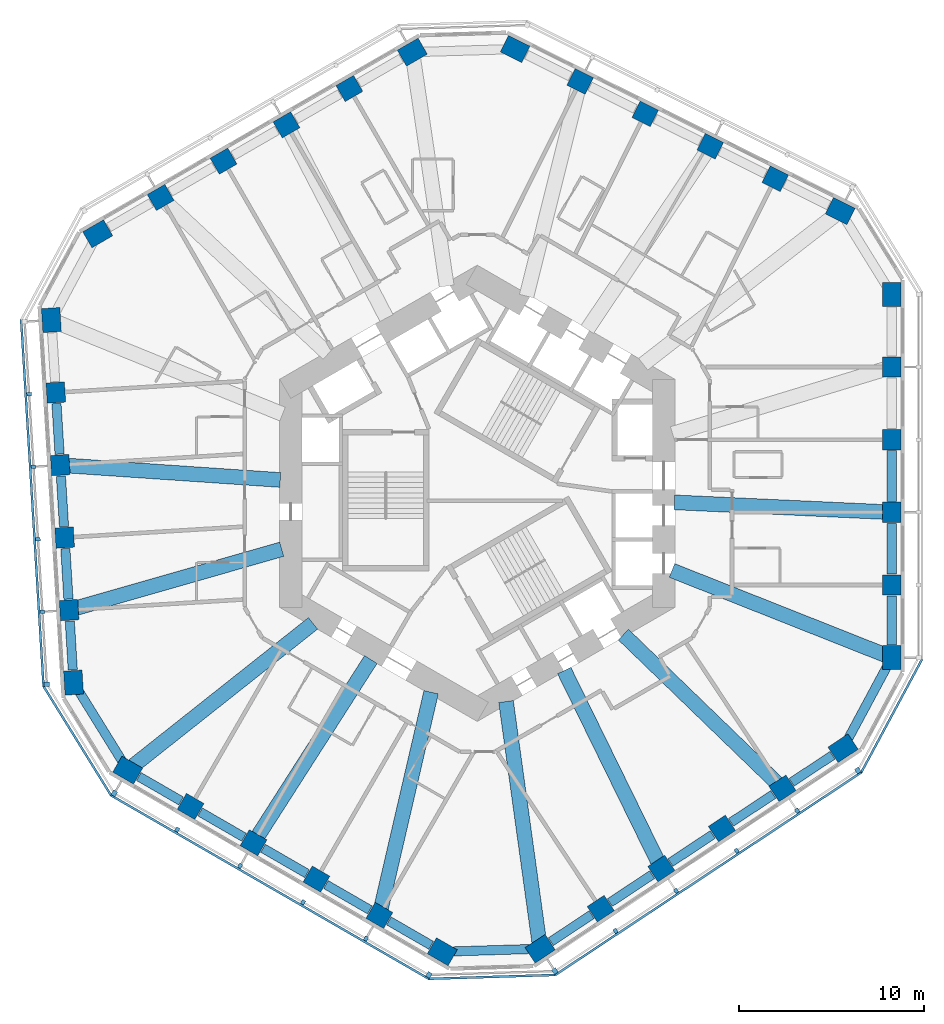
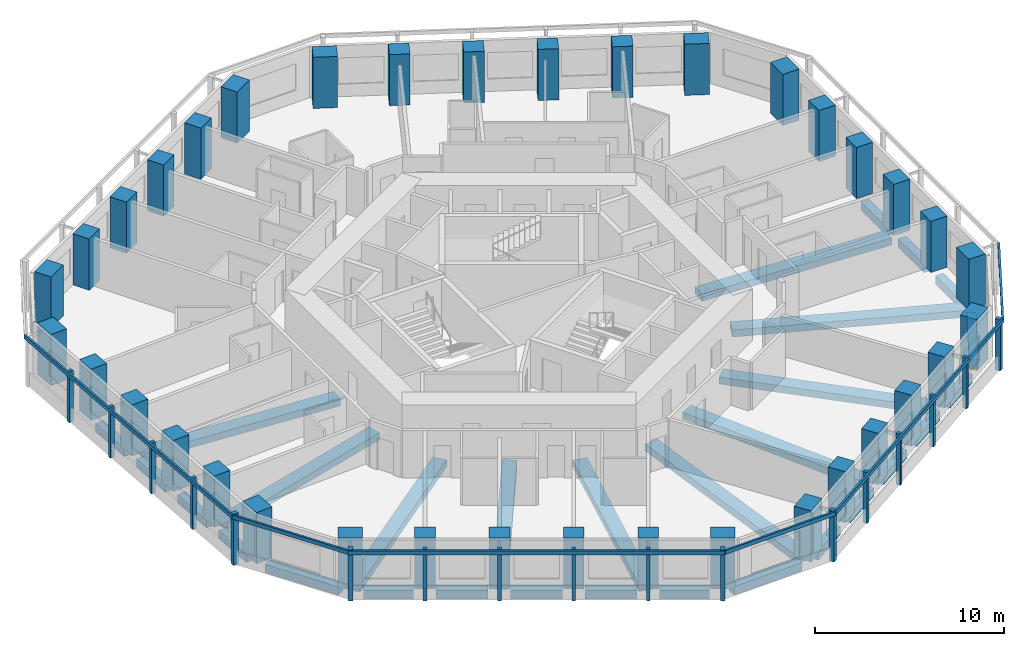
# One storey, part 1 of 12: 36 columns, 30 beams, 23 members, 6 elements without a shape of their own.
"""IFC4 building model written with IfcOpenShell, lengths in metres."""

from ifc_helpers import new_model, si_unit, direction, frame, origin, origin_2d, place, context, subcontext, project, spatial, rectangle, extrude, material, material_profile, profile_set, type_object, element, aggregate, save


model = new_model("IFC4")

# Units and contexts
model_context = context("Model", 3, precision=1e-05, world=origin(), true_north=direction((0.0, 1.0)))
body_context = subcontext(model_context, "Body", "Model", "MODEL_VIEW")
ifc_project = project(units=[si_unit("LENGTHUNIT", "METRE"), si_unit("AREAUNIT", "SQUARE_METRE"), si_unit("VOLUMEUNIT", "CUBIC_METRE"), si_unit("PLANEANGLEUNIT", "RADIAN"), si_unit("MASSUNIT", "GRAM", prefix="KILO")], contexts=[model_context])

# Site, building, storey
site_placement = place(None, origin())
site = spatial("IfcSite", under=ifc_project, at=site_placement, CompositionType="ELEMENT")
building_placement = place(site_placement, origin())
building = spatial("IfcBuilding", under=site, at=building_placement, Name="Vanh Sen Convention Tower", CompositionType="ELEMENT")
storey_placement = place(building_placement, frame((0.0, 0.0, 93.5)))
storey = spatial("IfcBuildingStorey", under=building, at=storey_placement, Name="L21", CompositionType="ELEMENT", Elevation=93.5)

# Columns
ifc_material_1 = material(Name="Concrete C80/95", Category="concrete")
ifc_material_profile_1 = material_profile(ifc_material_1, rectangle(XDim=1.10009765625, YDim=1.0, at=origin_2d()), Name="RC 1100X1000")
ifc_profile_set_1 = profile_set([ifc_material_profile_1], Name="Concrete C80/95")
column_type_1 = type_object("IfcColumnType", Name="Facade column 1100 x 1000 C80/95", PredefinedType="COLUMN", material=ifc_profile_set_1)
for number, where, z_axis, x_axis, name in (
    (1, (22.449951171875, -4.964599609375, 0.0), (0.0, 0.0, 1.0), (0.0, 1.0, 0.0), "Facade column 02 L21"),
    (2, (22.449951171875, -1.030029296875, 0.0), (0.0, 0.0, 1.0), (0.0, 1.0, 0.0), "Facade column 03 L21"),
    (3, (22.449951171875, 2.904541015625, 0.0), (0.0, 0.0, 1.0), (0.0, 1.0, 0.0), "Facade column 04 L21"),
    (4, (22.449951171875, 6.839111328125, 0.0), (0.0, 0.0, 1.0), (0.0, 1.0, 0.0), "Facade column 05 L21"),
    (5, (16.1376953125, 17.039794921875, 0.0), (0.0, 0.0, 1.0), (-0.894934361602, 0.44619781311, 0.0), "Facade column 08 L21"),
    (6, (12.616455078125, 18.79541015625, 0.0), (0.0, 0.0, 1.0), (-0.894934361602, 0.44619781311, 0.0), "Facade column 09 L21"),
    (7, (9.09521484375, 20.55078125, 0.0), (0.0, 0.0, 1.0), (-0.894934361602, 0.44619781311, 0.0), "Facade column 10 L21"),
    (8, (5.57421875, 22.306396484375, 0.0), (0.0, 0.0, 1.0), (-0.894934361602, 0.44619781311, 0.0), "Facade column 11 L21"),
    (9, (-6.925537109375, 21.924560546875, 0.0), (0.0, 0.0, 1.0), (-0.866025403784, -0.5, 0.0), "Facade column 14 L21"),
    (10, (-10.3330078125, 19.957275390625, 0.0), (0.0, 0.0, 1.0), (-0.866025403784, -0.5, 0.0), "Facade column 15 L21"),
    (11, (-13.740478515625, 17.989990234375, 0.0), (0.0, 0.0, 1.0), (-0.866025403784, -0.5, 0.0), "Facade column 16 L21"),
    (12, (-17.14794921875, 16.022705078125, 0.0), (0.0, 0.0, 1.0), (-0.866025403784, -0.5, 0.0), "Facade column 17 L21"),
    (13, (-22.82568359375, 5.455810546875, 0.0), (0.0, 0.0, 1.0), (0.061048539535, -0.998134798422, 0.0), "Facade column 20 L21"),
    (14, (-22.58544921875, 1.528564453125, 0.0), (0.0, 0.0, 1.0), (0.061048539535, -0.998134798422, 0.0), "Facade column 21 L21"),
    (15, (-22.34521484375, -2.398681640625, 0.0), (0.0, 0.0, 1.0), (0.061048539535, -0.998134798422, 0.0), "Facade column 22 L21"),
    (16, (-22.10498046875, -6.325927734375, 0.0), (0.0, 0.0, 1.0), (0.061048539535, -0.998134798422, 0.0), "Facade column 23 L21"),
    (17, (-15.5244140625, -16.9599609375, 0.0), (0.0, 0.0, 1.0), (0.866025403784, -0.5, 0.0), "Facade column 26 L21"),
    (18, (-12.1171875, -18.92724609375, 0.0), (0.0, 0.0, 1.0), (0.866025403784, -0.5, 0.0), "Facade column 27 L21"),
    (19, (-8.709716796875, -20.89453125, 0.0), (0.0, 0.0, 1.0), (0.866025403784, -0.5, 0.0), "Facade column 28 L21"),
    (20, (-5.302001953125, -22.86181640625, 0.0), (0.0, 0.0, 1.0), (0.866025403784, -0.5, 0.0), "Facade column 29 L21"),
    (21, (6.68798828125, -22.49560546875, 0.0), (0.0, 0.0, 1.0), (0.833885822067, 0.551936985312, 0.0), "Facade column 32 L21"),
    (22, (9.968994140625, -20.323974609375, 0.0), (0.0, 0.0, 1.0), (0.833885822067, 0.551936985312, 0.0), "Facade column 33 L21"),
    (23, (13.25, -18.152099609375, 0.0), (0.0, 0.0, 1.0), (0.833885822067, 0.551936985312, 0.0), "Facade column 34 L21"),
    (24, (16.531005859375, -15.980712890625, 0.0), (0.0, 0.0, 1.0), (0.833885822067, 0.551936985312, 0.0), "Facade column 35 L21"),
):
    element("IfcColumn", number, at=place(storey_placement, frame(where, z_axis=z_axis, x_axis=x_axis)), inside=storey, type_object=column_type_1, Name=name, PredefinedType="COLUMN", context=body_context, shape_type="SweptSolid", body=[
        extrude(rectangle(XDim=1.10009765625, YDim=1.0, at=origin_2d()), origin(), (0.0, 0.0, 1.0), 3.300048828125),
    ])
ifc_material_profile_2 = material_profile(ifc_material_1, rectangle(XDim=1.300048828125, YDim=1.0, at=origin_2d()), Name="RC 1300X1000")
ifc_profile_set_2 = profile_set([ifc_material_profile_2], Name="Concrete C80/95")
column_type_2 = type_object("IfcColumnType", Name="Facade corner column 1300 x 1000 C80/95", PredefinedType="COLUMN", material=ifc_profile_set_2)
for number, where, z_axis, x_axis, name in (
    (25, (22.449951171875, -8.899169921875, 0.0), (0.0, 0.0, 1.0), (0.0, 1.0, 0.0), "Facade column 01 L21"),
    (26, (22.449951171875, 10.773681640625, 0.0), (0.0, 0.0, 1.0), (0.0, 1.0, 0.0), "Facade column 06 L21"),
    (27, (19.658935546875, 15.2841796875, 0.0), (0.0, 0.0, 1.0), (-0.894934361602, 0.44619781311, 0.0), "Facade column 07 L21"),
    (28, (2.052978515625, 24.06201171875, 0.0), (0.0, 0.0, 1.0), (-0.894934361602, 0.44619781311, 0.0), "Facade column 12 L21"),
    (29, (-3.51806640625, 23.891845703125, 0.0), (0.0, 0.0, 1.0), (-0.866025403784, -0.5, 0.0), "Facade column 13 L21"),
    (30, (-20.555419921875, 14.055419921875, 0.0), (0.0, 0.0, 1.0), (-0.866025403784, -0.5, 0.0), "Facade column 18 L21"),
    (31, (-23.06591796875, 9.383056640625, 0.0), (0.0, 0.0, 1.0), (0.061048539535, -0.998134798422, 0.0), "Facade column 19 L21"),
    (32, (-21.86474609375, -10.253173828125, 0.0), (0.0, 0.0, 1.0), (0.061048539535, -0.998134798422, 0.0), "Facade column 24 L21"),
    (33, (-18.931884765625, -14.99267578125, 0.0), (0.0, 0.0, 1.0), (0.866025403784, -0.5, 0.0), "Facade column 25 L21"),
    (34, (-1.894775390625, -24.8291015625, 0.0), (0.0, 0.0, 1.0), (0.866025403784, -0.5, 0.0), "Facade column 30 L21"),
    (35, (3.406982421875, -24.6669921875, 0.0), (0.0, 0.0, 1.0), (0.833885822067, 0.551936985312, 0.0), "Facade column 31 L21"),
    (36, (19.81201171875, -13.808837890625, 0.0), (0.0, 0.0, 1.0), (0.833885822067, 0.551936985312, 0.0), "Facade column 36 L21"),
):
    element("IfcColumn", number, at=place(storey_placement, frame(where, z_axis=z_axis, x_axis=x_axis)), inside=storey, type_object=column_type_2, Name=name, PredefinedType="COLUMN", context=body_context, shape_type="SweptSolid", body=[
        extrude(rectangle(XDim=1.300048828125, YDim=1.0, at=origin_2d()), origin(), (0.0, 0.0, 1.0), 3.300048828125),
    ])

# Curtain wall, member
ifc_material_2 = material(Name="Concrete C50/60", Category="concrete")
curtain_wall_type = type_object("IfcCurtainWallType", Name="Outer skin hotel zone", PredefinedType="NOTDEFINED", material=ifc_material_2)
curtain_wall_1_placement = place(storey_placement, origin())
curtain_wall_1 = element("IfcCurtainWall", 37, at=curtain_wall_1_placement, inside=storey, type_object=curtain_wall_type, Name="OUTER SKIN W L21", PredefinedType="NOTDEFINED")
ifc_material_profile_3 = material_profile(ifc_material_2, rectangle(XDim=0.25, YDim=0.300048828125, at=origin_2d()), Name="Outer skin precast corner fin 250 x 300")
ifc_profile_set_3 = profile_set([ifc_material_profile_3], Name="Concrete C50/60")
member_type_1 = type_object("IfcMemberType", Name="Outer skin precast corner fin 250 x 300", PredefinedType="MULLION", material=ifc_profile_set_3)
member_1_placement = place(storey_placement, frame((-23.31201171875, -10.341796875, 0.0), z_axis=(0.0, 0.0, 1.0), x_axis=(0.061048539535, -0.998134798422, 0.0)))
member_1 = element("IfcMember", 38, at=member_1_placement, type_object=member_type_1, Name="OUTER SKIN CORNER FIN 6 W L21", PredefinedType="MULLION", context=body_context, shape_type="SweptSolid", body=[
    extrude(rectangle(XDim=0.25, YDim=0.300048828125, at=origin_2d()), origin(), (0.0, 0.0, 1.0), 3.300048828125),
])

# Curtain wall, members
curtain_wall_2_placement = place(storey_placement, origin())
curtain_wall_2 = element("IfcCurtainWall", 39, at=curtain_wall_2_placement, inside=storey, type_object=curtain_wall_type, Name="OUTER SKIN SW L21", PredefinedType="NOTDEFINED")
member_2_placement = place(storey_placement, frame((-19.656982421875, -16.248291015625, 0.0), z_axis=(0.0, 0.0, 1.0), x_axis=(0.866025403784, -0.5, 0.0)))
member_2 = element("IfcMember", 40, at=member_2_placement, type_object=member_type_1, Name="OUTER SKIN CORNER FIN 1 SW L21", PredefinedType="MULLION", context=body_context, shape_type="SweptSolid", body=[
    extrude(rectangle(XDim=0.25, YDim=0.300048828125, at=origin_2d()), origin(), (0.0, 0.0, 1.0), 3.300048828125),
])
member_3_placement = place(storey_placement, frame((-2.61962890625, -26.084716796875, 0.0), z_axis=(0.0, 0.0, 1.0), x_axis=(0.866025403784, -0.5, 0.0)))
member_3 = element("IfcMember", 41, at=member_3_placement, type_object=member_type_1, Name="OUTER SKIN CORNER FIN 6 SW L21", PredefinedType="MULLION", context=body_context, shape_type="SweptSolid", body=[
    extrude(rectangle(XDim=0.25, YDim=0.300048828125, at=origin_2d()), origin(), (0.0, 0.0, 1.0), 3.300048828125),
])

curtain_wall_3_placement = place(storey_placement, origin())
curtain_wall_3 = element("IfcCurtainWall", 42, at=curtain_wall_3_placement, inside=storey, type_object=curtain_wall_type, Name="OUTER SKIN SE L21", PredefinedType="NOTDEFINED")
member_4_placement = place(storey_placement, frame((4.207275390625, -25.876220703125, 0.0), z_axis=(0.0, 0.0, 1.0), x_axis=(0.833885822067, 0.551936985312, 0.0)))
member_4 = element("IfcMember", 43, at=member_4_placement, type_object=member_type_1, Name="OUTER SKIN CORNER FIN 1 SE L21", PredefinedType="MULLION", context=body_context, shape_type="SweptSolid", body=[
    extrude(rectangle(XDim=0.25, YDim=0.300048828125, at=origin_2d()), origin(), (0.0, 0.0, 1.0), 3.300048828125),
])
member_5_placement = place(storey_placement, frame((20.6123046875, -15.01806640625, 0.0), z_axis=(0.0, 0.0, 1.0), x_axis=(0.833885822067, 0.551936985312, 0.0)))
member_5 = element("IfcMember", 44, at=member_5_placement, type_object=member_type_1, Name="OUTER SKIN CORNER FIN 6 SE L21", PredefinedType="MULLION", context=body_context, shape_type="SweptSolid", body=[
    extrude(rectangle(XDim=0.25, YDim=0.300048828125, at=origin_2d()), origin(), (0.0, 0.0, 1.0), 3.300048828125),
])

# Member
ifc_material_profile_4 = material_profile(ifc_material_2, rectangle(XDim=0.199951171875, YDim=0.25, at=origin_2d()), Name="Outer skin precast fin 200 x 250")
ifc_profile_set_4 = profile_set([ifc_material_profile_4], Name="Concrete C50/60")
member_type_2 = type_object("IfcMemberType", Name="Outer skin precast fin 200 x 250", PredefinedType="MULLION", material=ifc_profile_set_4)
member_6_placement = place(storey_placement, frame((-24.27294921875, 5.3671875, 0.0), z_axis=(0.0, 0.0, 1.0), x_axis=(0.061048539535, -0.998134798422, 0.0)))
member_6 = element("IfcMember", 45, at=member_6_placement, type_object=member_type_2, Name="OUTER SKIN fin 2 W L21", PredefinedType="MULLION", context=body_context, shape_type="SweptSolid", body=[
    extrude(rectangle(XDim=0.199951171875, YDim=0.25, at=origin_2d()), origin(), (0.0, 0.0, 1.0), 3.300048828125),
])

member_7_placement = place(storey_placement, frame((-24.03271484375, 1.440185546875, 0.0), z_axis=(0.0, 0.0, 1.0), x_axis=(0.061048539535, -0.998134798422, 0.0)))
member_7 = element("IfcMember", 46, at=member_7_placement, type_object=member_type_2, Name="OUTER SKIN fin 3 W L21", PredefinedType="MULLION", context=body_context, shape_type="SweptSolid", body=[
    extrude(rectangle(XDim=0.199951171875, YDim=0.25, at=origin_2d()), origin(), (0.0, 0.0, 1.0), 3.300048828125),
])

member_8_placement = place(storey_placement, frame((-23.79248046875, -2.4873046875, 0.0), z_axis=(0.0, 0.0, 1.0), x_axis=(0.061048539535, -0.998134798422, 0.0)))
member_8 = element("IfcMember", 47, at=member_8_placement, type_object=member_type_2, Name="OUTER SKIN fin 4 W L21", PredefinedType="MULLION", context=body_context, shape_type="SweptSolid", body=[
    extrude(rectangle(XDim=0.199951171875, YDim=0.25, at=origin_2d()), origin(), (0.0, 0.0, 1.0), 3.300048828125),
])

member_9_placement = place(storey_placement, frame((-23.55224609375, -6.414306640625, 0.0), z_axis=(0.0, 0.0, 1.0), x_axis=(0.061048539535, -0.998134798422, 0.0)))
member_9 = element("IfcMember", 48, at=member_9_placement, type_object=member_type_2, Name="OUTER SKIN fin 5 W L21", PredefinedType="MULLION", context=body_context, shape_type="SweptSolid", body=[
    extrude(rectangle(XDim=0.199951171875, YDim=0.25, at=origin_2d()), origin(), (0.0, 0.0, 1.0), 3.300048828125),
])

member_10_placement = place(storey_placement, frame((-16.24951171875, -18.2158203125, 0.0), z_axis=(0.0, 0.0, 1.0), x_axis=(0.866025403784, -0.5, 0.0)))
member_10 = element("IfcMember", 49, at=member_10_placement, type_object=member_type_2, Name="OUTER SKIN fin 2 SW L21", PredefinedType="MULLION", context=body_context, shape_type="SweptSolid", body=[
    extrude(rectangle(XDim=0.199951171875, YDim=0.25, at=origin_2d()), origin(), (0.0, 0.0, 1.0), 3.300048828125),
])

member_11_placement = place(storey_placement, frame((-12.842041015625, -20.182861328125, 0.0), z_axis=(0.0, 0.0, 1.0), x_axis=(0.866025403784, -0.5, 0.0)))
member_11 = element("IfcMember", 50, at=member_11_placement, type_object=member_type_2, Name="OUTER SKIN fin 3 SW L21", PredefinedType="MULLION", context=body_context, shape_type="SweptSolid", body=[
    extrude(rectangle(XDim=0.199951171875, YDim=0.25, at=origin_2d()), origin(), (0.0, 0.0, 1.0), 3.300048828125),
])

member_12_placement = place(storey_placement, frame((-9.4345703125, -22.150146484375, 0.0), z_axis=(0.0, 0.0, 1.0), x_axis=(0.866025403784, -0.5, 0.0)))
member_12 = element("IfcMember", 51, at=member_12_placement, type_object=member_type_2, Name="OUTER SKIN fin 4 SW L21", PredefinedType="MULLION", context=body_context, shape_type="SweptSolid", body=[
    extrude(rectangle(XDim=0.199951171875, YDim=0.25, at=origin_2d()), origin(), (0.0, 0.0, 1.0), 3.300048828125),
])

member_13_placement = place(storey_placement, frame((-6.027099609375, -24.117431640625, 0.0), z_axis=(0.0, 0.0, 1.0), x_axis=(0.866025403784, -0.5, 0.0)))
member_13 = element("IfcMember", 52, at=member_13_placement, type_object=member_type_2, Name="OUTER SKIN fin 5 SW L21", PredefinedType="MULLION", context=body_context, shape_type="SweptSolid", body=[
    extrude(rectangle(XDim=0.199951171875, YDim=0.25, at=origin_2d()), origin(), (0.0, 0.0, 1.0), 3.300048828125),
])

member_14_placement = place(storey_placement, frame((7.48828125, -23.70458984375, 0.0), z_axis=(0.0, 0.0, 1.0), x_axis=(0.833885822067, 0.551936985312, 0.0)))
member_14 = element("IfcMember", 53, at=member_14_placement, type_object=member_type_2, Name="OUTER SKIN fin 2 SE L21", PredefinedType="MULLION", context=body_context, shape_type="SweptSolid", body=[
    extrude(rectangle(XDim=0.199951171875, YDim=0.25, at=origin_2d()), origin(), (0.0, 0.0, 1.0), 3.300048828125),
])

member_15_placement = place(storey_placement, frame((10.769287109375, -21.532958984375, 0.0), z_axis=(0.0, 0.0, 1.0), x_axis=(0.833885822067, 0.551936985312, 0.0)))
member_15 = element("IfcMember", 54, at=member_15_placement, type_object=member_type_2, Name="OUTER SKIN fin 3 SE L21", PredefinedType="MULLION", context=body_context, shape_type="SweptSolid", body=[
    extrude(rectangle(XDim=0.199951171875, YDim=0.25, at=origin_2d()), origin(), (0.0, 0.0, 1.0), 3.300048828125),
])

member_16_placement = place(storey_placement, frame((14.05029296875, -19.361328125, 0.0), z_axis=(0.0, 0.0, 1.0), x_axis=(0.833885822067, 0.551936985312, 0.0)))
member_16 = element("IfcMember", 55, at=member_16_placement, type_object=member_type_2, Name="OUTER SKIN fin 4 SE L21", PredefinedType="MULLION", context=body_context, shape_type="SweptSolid", body=[
    extrude(rectangle(XDim=0.199951171875, YDim=0.25, at=origin_2d()), origin(), (0.0, 0.0, 1.0), 3.300048828125),
])

member_17_placement = place(storey_placement, frame((17.331298828125, -17.189697265625, 0.0), z_axis=(0.0, 0.0, 1.0), x_axis=(0.833885822067, 0.551936985312, 0.0)))
member_17 = element("IfcMember", 56, at=member_17_placement, type_object=member_type_2, Name="OUTER SKIN fin 5 SE L21", PredefinedType="MULLION", context=body_context, shape_type="SweptSolid", body=[
    extrude(rectangle(XDim=0.199951171875, YDim=0.25, at=origin_2d()), origin(), (0.0, 0.0, 1.0), 3.300048828125),
])

ifc_material_profile_5 = material_profile(ifc_material_2, rectangle(XDim=0.1201171875, YDim=0.25, at=origin_2d()), Name="Outer skin precast spandrel band 250 x 120")
ifc_profile_set_5 = profile_set([ifc_material_profile_5], Name="Concrete C50/60")
member_type_3 = type_object("IfcMemberType", Name="Outer skin precast spandrel band 250 x 120", PredefinedType="USERDEFINED", material=ifc_profile_set_5)
member_18_placement = place(storey_placement, frame((-24.705322265625, 9.408203125, 3.175048828125), z_axis=(0.061050017989, -0.998134707995, 0.0), x_axis=(0.998134707995, 0.061050017989, 0.0)))
member_18 = element("IfcMember", 57, at=member_18_placement, type_object=member_type_3, Name="OUTER SKIN spandrel band W L21", ObjectType="TRANSOM", PredefinedType="USERDEFINED", context=body_context, shape_type="SweptSolid", body=[
    extrude(rectangle(XDim=0.1201171875, YDim=0.25, at=origin_2d()), origin(), (0.0, 0.0, 1.0), 19.923095703125),
])

aggregate(curtain_wall_1, [member_6, member_7, member_8, member_9, member_1, member_18])

# Curtain wall, member
curtain_wall_4_placement = place(storey_placement, origin())
curtain_wall_4 = element("IfcCurtainWall", 58, at=curtain_wall_4_placement, inside=storey, type_object=curtain_wall_type, Name="OUTER SKIN CH4 L21", PredefinedType="NOTDEFINED")
member_19_placement = place(storey_placement, frame((-23.49072265625, -10.4521484375, 3.175048828125), z_axis=(0.526196095141, -0.850363257354, 0.0), x_axis=(0.850363257354, 0.526196095141, 0.0)))
member_19 = element("IfcMember", 59, at=member_19_placement, type_object=member_type_3, Name="OUTER SKIN spandrel band CH4 L21", ObjectType="TRANSOM", PredefinedType="USERDEFINED", context=body_context, shape_type="SweptSolid", body=[
    extrude(rectangle(XDim=0.1201171875, YDim=0.25, at=origin_2d()), origin(), (0.0, 0.0, 1.0), 6.946044921875),
])
aggregate(curtain_wall_4, [member_19])

# Member
member_20_placement = place(storey_placement, frame((-19.85791015625, -16.34619140625, 3.175048828125), z_axis=(0.866028047459, -0.499995420993, 0.0), x_axis=(0.499995420993, 0.866028047459, 0.0)))
member_20 = element("IfcMember", 60, at=member_20_placement, type_object=member_type_3, Name="OUTER SKIN spandrel band SW L21", ObjectType="TRANSOM", PredefinedType="USERDEFINED", context=body_context, shape_type="SweptSolid", body=[
    extrude(rectangle(XDim=0.1201171875, YDim=0.25, at=origin_2d()), origin(), (0.0, 0.0, 1.0), 19.923095703125),
])

aggregate(curtain_wall_2, [member_2, member_10, member_11, member_12, member_13, member_3, member_20])

# Curtain wall, member
curtain_wall_5_placement = place(storey_placement, origin())
curtain_wall_5 = element("IfcCurtainWall", 61, at=curtain_wall_5_placement, inside=storey, type_object=curtain_wall_type, Name="OUTER SKIN CH5 L21", PredefinedType="NOTDEFINED")
member_21_placement = place(storey_placement, frame((-2.61328125, -26.294677734375, 3.175048828125), z_axis=(0.99953396928, 0.030526124156, 0.0), x_axis=(-0.030526124156, 0.99953396928, 0.0)))
member_21 = element("IfcMember", 62, at=member_21_placement, type_object=member_type_3, Name="OUTER SKIN spandrel band CH5 L21", ObjectType="TRANSOM", PredefinedType="USERDEFINED", context=body_context, shape_type="SweptSolid", body=[
    extrude(rectangle(XDim=0.1201171875, YDim=0.25, at=origin_2d()), origin(), (0.0, 0.0, 1.0), 6.830078125),
])
aggregate(curtain_wall_5, [member_21])

# Member
member_22_placement = place(storey_placement, frame((4.205078125, -26.099609375, 3.175048828125), z_axis=(0.833883851182, 0.551939962984, 0.0), x_axis=(-0.551939962984, 0.833883851182, 0.0)))
member_22 = element("IfcMember", 63, at=member_22_placement, type_object=member_type_3, Name="OUTER SKIN spandrel band SE L21", ObjectType="TRANSOM", PredefinedType="USERDEFINED", context=body_context, shape_type="SweptSolid", body=[
    extrude(rectangle(XDim=0.1201171875, YDim=0.25, at=origin_2d()), origin(), (0.0, 0.0, 1.0), 19.923095703125),
])

aggregate(curtain_wall_3, [member_4, member_14, member_15, member_16, member_17, member_5, member_22])

# Curtain wall, member
curtain_wall_6_placement = place(storey_placement, origin())
curtain_wall_6 = element("IfcCurtainWall", 64, at=curtain_wall_6_placement, inside=storey, type_object=curtain_wall_type, Name="OUTER SKIN CH6 L21", PredefinedType="NOTDEFINED")
member_23_placement = place(storey_placement, frame((20.797119140625, -15.117431640625, 3.175048828125), z_axis=(0.473324148816, 0.880888330123, 0.0), x_axis=(-0.880888330123, 0.473324148816, 0.0)))
member_23 = element("IfcMember", 65, at=member_23_placement, type_object=member_type_3, Name="OUTER SKIN spandrel band CH6 L21", ObjectType="TRANSOM", PredefinedType="USERDEFINED", context=body_context, shape_type="SweptSolid", body=[
    extrude(rectangle(XDim=0.1201171875, YDim=0.25, at=origin_2d()), origin(), (0.0, 0.0, 1.0), 6.9462890625),
])
aggregate(curtain_wall_6, [member_23])

# Beams
ifc_material_3 = material(Name="Concrete C50/60", Category="concrete")
ifc_material_profile_6 = material_profile(ifc_material_3, rectangle(XDim=0.800048828125, YDim=0.449951171875, at=origin_2d()), Name="RC 800X450")
ifc_profile_set_6 = profile_set([ifc_material_profile_6], Name="Concrete C50/60")
beam_type_1 = type_object("IfcBeamType", Name="Radial floor beam 800 x 450", PredefinedType="BEAM", material=ifc_profile_set_6)
beam_1_placement = place(storey_placement, frame((22.10205078125, -8.76123046875, -0.47509765625), z_axis=(-0.929623737454, 0.368510117584, 0.0), x_axis=(-0.368510117584, -0.929623737454, 0.0)))
element("IfcBeam", 66, at=beam_1_placement, inside=storey, type_object=beam_type_1, Name="Radial beam 01 L21", PredefinedType="BEAM", context=body_context, shape_type="SweptSolid", body=[
    extrude(rectangle(XDim=0.800048828125, YDim=0.449951171875, at=origin_2d()), origin(), (0.0, 0.0, 1.0), 12.4287109375),
])
beam_2_placement = place(storey_placement, frame((21.973388671875, -1.00830078125, -0.47509765625), z_axis=(-0.998949085964, 0.045833651953, 0.0), x_axis=(-0.045833651953, -0.998949085964, 0.0)))
element("IfcBeam", 67, at=beam_2_placement, inside=storey, type_object=beam_type_1, Name="Radial beam 02 L21", PredefinedType="BEAM", context=body_context, shape_type="SweptSolid", body=[
    extrude(rectangle(XDim=0.800048828125, YDim=0.449951171875, at=origin_2d()), origin(), (0.0, 0.0, 1.0), 11.30859375),
])
beam_3_placement = place(storey_placement, frame((-22.138916015625, 1.498291015625, -0.47509765625), z_axis=(0.997717468066, -0.0675266904, 0.0), x_axis=(0.0675266904, 0.997717468066, 0.0)))
element("IfcBeam", 68, at=beam_3_placement, inside=storey, type_object=beam_type_1, Name="Radial beam 11 L21", PredefinedType="BEAM", context=body_context, shape_type="SweptSolid", body=[
    extrude(rectangle(XDim=0.800048828125, YDim=0.449951171875, at=origin_2d()), origin(), (0.0, 0.0, 1.0), 11.4970703125),
])
beam_4_placement = place(storey_placement, frame((-21.702392578125, -6.210693359375, -0.47509765625), z_axis=(0.96140833785, 0.275125440322, 0.0), x_axis=(-0.275125440322, 0.96140833785, 0.0)))
element("IfcBeam", 69, at=beam_4_placement, inside=storey, type_object=beam_type_1, Name="Radial beam 12 L21", PredefinedType="BEAM", context=body_context, shape_type="SweptSolid", body=[
    extrude(rectangle(XDim=0.800048828125, YDim=0.449951171875, at=origin_2d()), origin(), (0.0, 0.0, 1.0), 11.5634765625),
])
beam_5_placement = place(storey_placement, frame((-18.638671875, -14.76025390625, -0.47509765625), z_axis=(0.78395420425, 0.620818657612, 0.0), x_axis=(-0.620818657612, 0.78395420425, 0.0)))
element("IfcBeam", 70, at=beam_5_placement, inside=storey, type_object=beam_type_1, Name="Radial beam 13 L21", PredefinedType="BEAM", context=body_context, shape_type="SweptSolid", body=[
    extrude(rectangle(XDim=0.800048828125, YDim=0.449951171875, at=origin_2d()), origin(), (0.0, 0.0, 1.0), 12.428955078125),
])
beam_6_placement = place(storey_placement, frame((-11.85986328125, -18.525390625, -0.47509765625), z_axis=(0.539160288654, 0.842203172126, 0.0), x_axis=(-0.842203172126, 0.539160288654, 0.0)))
element("IfcBeam", 71, at=beam_6_placement, inside=storey, type_object=beam_type_1, Name="Radial beam 14 L21", PredefinedType="BEAM", context=body_context, shape_type="SweptSolid", body=[
    extrude(rectangle(XDim=0.800048828125, YDim=0.449951171875, at=origin_2d()), origin(), (0.0, 0.0, 1.0), 11.30859375),
])
beam_7_placement = place(storey_placement, frame((-5.212646484375, -22.476318359375, -0.47509765625), z_axis=(0.225927931957, 0.974144018902, 0.0), x_axis=(-0.974144018902, 0.225927931957, 0.0)))
element("IfcBeam", 72, at=beam_7_placement, inside=storey, type_object=beam_type_1, Name="Radial beam 15 L21", PredefinedType="BEAM", context=body_context, shape_type="SweptSolid", body=[
    extrude(rectangle(XDim=0.800048828125, YDim=0.449951171875, at=origin_2d()), origin(), (0.0, 0.0, 1.0), 12.01416015625),
])
beam_8_placement = place(storey_placement, frame((3.35791015625, -24.312744140625, -0.47509765625), z_axis=(-0.136801873088, 0.990598428991, 0.0), x_axis=(-0.990598428991, -0.136801873088, 0.0)))
element("IfcBeam", 73, at=beam_8_placement, inside=storey, type_object=beam_type_1, Name="Radial beam 16 L21", PredefinedType="BEAM", context=body_context, shape_type="SweptSolid", body=[
    extrude(rectangle(XDim=0.800048828125, YDim=0.449951171875, at=origin_2d()), origin(), (0.0, 0.0, 1.0), 13.159912109375),
])
beam_9_placement = place(storey_placement, frame((9.77197265625, -19.922119140625, -0.47509765625), z_axis=(-0.440388501121, 0.89780731122, 0.0), x_axis=(-0.89780731122, -0.440388501121, 0.0)))
element("IfcBeam", 74, at=beam_9_placement, inside=storey, type_object=beam_type_1, Name="Radial beam 17 L21", PredefinedType="BEAM", context=body_context, shape_type="SweptSolid", body=[
    extrude(rectangle(XDim=0.800048828125, YDim=0.449951171875, at=origin_2d()), origin(), (0.0, 0.0, 1.0), 11.497314453125),
])
beam_10_placement = place(storey_placement, frame((16.22998046875, -15.689697265625, -0.47509765625), z_axis=(-0.718965868582, 0.695045379679, 0.0), x_axis=(-0.695045379679, -0.718965868582, 0.0)))
element("IfcBeam", 75, at=beam_10_placement, inside=storey, type_object=beam_type_1, Name="Radial beam 18 L21", PredefinedType="BEAM", context=body_context, shape_type="SweptSolid", body=[
    extrude(rectangle(XDim=0.800048828125, YDim=0.449951171875, at=origin_2d()), origin(), (0.0, 0.0, 1.0), 11.563720703125),
])
ifc_material_profile_7 = material_profile(ifc_material_3, rectangle(XDim=0.5, YDim=0.550048828125, at=origin_2d()), Name="RC 500X550")
ifc_profile_set_7 = profile_set([ifc_material_profile_7], Name="Concrete C50/60")
beam_type_2 = type_object("IfcBeamType", Name="Spandrel beam 500 x 550", PredefinedType="SPANDREL", material=ifc_profile_set_7)
beam_11_placement = place(storey_placement, frame((22.449951171875, -8.2041015625, -0.52490234375), z_axis=(0.0, 1.0, 0.0), x_axis=(-1.0, 0.0, 0.0)))
element("IfcBeam", 76, at=beam_11_placement, inside=storey, type_object=beam_type_2, Name="Spandrel beam 01 L21", PredefinedType="SPANDREL", context=body_context, shape_type="SweptSolid", body=[
    extrude(rectangle(XDim=0.5, YDim=0.550048828125, at=origin_2d()), origin(), (0.0, 0.0, 1.0), 2.64453125),
])
for number, where, z_axis, x_axis, name in (
    (77, (22.449951171875, -4.36962890625, -0.52490234375), (0.0, 1.0, 0.0), (-1.0, 0.0, 0.0), "Spandrel beam 02 L21"),
    (78, (22.449951171875, -0.43505859375, -0.52490234375), (0.0, 1.0, 0.0), (-1.0, 0.0, 0.0), "Spandrel beam 03 L21"),
):
    element("IfcBeam", number, at=place(storey_placement, frame(where, z_axis=z_axis, x_axis=x_axis)), inside=storey, type_object=beam_type_2, Name=name, PredefinedType="SPANDREL", context=body_context, shape_type="SweptSolid", body=[
        extrude(rectangle(XDim=0.5, YDim=0.550048828125, at=origin_2d()), origin(), (0.0, 0.0, 1.0), 2.74462890625),
    ])
beam_12_placement = place(storey_placement, frame((-22.789306640625, 4.86181640625, -0.52490234375), z_axis=(0.061115489467, -0.998130701335, 0.0), x_axis=(0.998130701335, 0.061115489467, 0.0)))
element("IfcBeam", 79, at=beam_12_placement, inside=storey, type_object=beam_type_2, Name="Spandrel beam 20 L21", PredefinedType="SPANDREL", context=body_context, shape_type="SweptSolid", body=[
    extrude(rectangle(XDim=0.5, YDim=0.550048828125, at=origin_2d()), origin(), (0.0, 0.0, 1.0), 2.744384765625),
])
beam_13_placement = place(storey_placement, frame((-22.549072265625, 0.934814453125, -0.52490234375), z_axis=(0.061021442686, -0.998136455367, 0.0), x_axis=(0.998136455367, 0.061021442686, 0.0)))
element("IfcBeam", 80, at=beam_13_placement, inside=storey, type_object=beam_type_2, Name="Spandrel beam 21 L21", PredefinedType="SPANDREL", context=body_context, shape_type="SweptSolid", body=[
    extrude(rectangle(XDim=0.5, YDim=0.550048828125, at=origin_2d()), origin(), (0.0, 0.0, 1.0), 2.74462890625),
])
beam_14_placement = place(storey_placement, frame((-22.308837890625, -2.99267578125, -0.52490234375), z_axis=(0.061026861063, -0.998136124098, 0.0), x_axis=(0.998136124098, 0.061026861063, 0.0)))
element("IfcBeam", 81, at=beam_14_placement, inside=storey, type_object=beam_type_2, Name="Spandrel beam 22 L21", PredefinedType="SPANDREL", context=body_context, shape_type="SweptSolid", body=[
    extrude(rectangle(XDim=0.5, YDim=0.550048828125, at=origin_2d()), origin(), (0.0, 0.0, 1.0), 2.744384765625),
])
beam_15_placement = place(storey_placement, frame((-22.068603515625, -6.919921875, -0.52490234375), z_axis=(0.061021844318, -0.998136430813, 0.0), x_axis=(0.998136430813, 0.061021844318, 0.0)))
element("IfcBeam", 82, at=beam_15_placement, inside=storey, type_object=beam_type_2, Name="Spandrel beam 23 L21", PredefinedType="SPANDREL", context=body_context, shape_type="SweptSolid", body=[
    extrude(rectangle(XDim=0.5, YDim=0.550048828125, at=origin_2d()), origin(), (0.0, 0.0, 1.0), 2.64453125),
])
beam_16_placement = place(storey_placement, frame((-21.556396484375, -10.751708984375, -0.52490234375), z_axis=(0.526194195161, -0.85036443304, 0.0), x_axis=(0.85036443304, 0.526194195161, 0.0)))
element("IfcBeam", 83, at=beam_16_placement, inside=storey, type_object=beam_type_2, Name="Spandrel beam 24 L21", PredefinedType="SPANDREL", context=body_context, shape_type="SweptSolid", body=[
    extrude(rectangle(XDim=0.5, YDim=0.550048828125, at=origin_2d()), origin(), (0.0, 0.0, 1.0), 4.4013671875),
])
beam_17_placement = place(storey_placement, frame((-18.330078125, -15.340087890625, -0.52490234375), z_axis=(0.865990340526, -0.500060726429, 0.0), x_axis=(0.500060726429, 0.865990340526, 0.0)))
element("IfcBeam", 84, at=beam_17_placement, inside=storey, type_object=beam_type_2, Name="Spandrel beam 25 L21", PredefinedType="SPANDREL", context=body_context, shape_type="SweptSolid", body=[
    extrude(rectangle(XDim=0.5, YDim=0.550048828125, at=origin_2d()), origin(), (0.0, 0.0, 1.0), 2.644775390625),
])
for number, where, z_axis, x_axis, name in (
    (85, (-15.00927734375, -17.257568359375, -0.52490234375), (0.866067086513, -0.499927796446, 0.0), (0.499927796446, 0.866067086513, 0.0), "Spandrel beam 26 L21"),
    (86, (-11.601806640625, -19.224609375, -0.52490234375), (0.866028570666, -0.499994514761, 0.0), (0.499994514761, 0.866028570666, 0.0), "Spandrel beam 27 L21"),
    (87, (-8.1943359375, -21.19189453125, -0.52490234375), (0.866028570666, -0.499994514761, 0.0), (0.499994514761, 0.866028570666, 0.0), "Spandrel beam 28 L21"),
):
    element("IfcBeam", number, at=place(storey_placement, frame(where, z_axis=z_axis, x_axis=x_axis)), inside=storey, type_object=beam_type_2, Name=name, PredefinedType="SPANDREL", context=body_context, shape_type="SweptSolid", body=[
        extrude(rectangle(XDim=0.5, YDim=0.550048828125, at=origin_2d()), origin(), (0.0, 0.0, 1.0), 2.74462890625),
    ])
beam_18_placement = place(storey_placement, frame((-4.786865234375, -23.1591796875, -0.52490234375), z_axis=(0.865990340526, -0.500060726429, 0.0), x_axis=(0.500060726429, 0.865990340526, 0.0)))
element("IfcBeam", 88, at=beam_18_placement, inside=storey, type_object=beam_type_2, Name="Spandrel beam 29 L21", PredefinedType="SPANDREL", context=body_context, shape_type="SweptSolid", body=[
    extrude(rectangle(XDim=0.5, YDim=0.550048828125, at=origin_2d()), origin(), (0.0, 0.0, 1.0), 2.644775390625),
])
beam_19_placement = place(storey_placement, frame((-1.353759765625, -24.8125, -0.52490234375), z_axis=(0.999533721385, 0.030534240042, 0.0), x_axis=(-0.030534240042, 0.999533721385, 0.0)))
element("IfcBeam", 89, at=beam_19_placement, inside=storey, type_object=beam_type_2, Name="Spandrel beam 30 L21", PredefinedType="SPANDREL", context=body_context, shape_type="SweptSolid", body=[
    extrude(rectangle(XDim=0.5, YDim=0.550048828125, at=origin_2d()), origin(), (0.0, 0.0, 1.0), 4.2216796875),
])
beam_20_placement = place(storey_placement, frame((3.986572265625, -24.283447265625, -0.52490234375), z_axis=(0.833892212548, 0.551927330227, 0.0), x_axis=(-0.551927330227, 0.833892212548, 0.0)))
element("IfcBeam", 90, at=beam_20_placement, inside=storey, type_object=beam_type_2, Name="Spandrel beam 31 L21", PredefinedType="SPANDREL", context=body_context, shape_type="SweptSolid", body=[
    extrude(rectangle(XDim=0.5, YDim=0.550048828125, at=origin_2d()), origin(), (0.0, 0.0, 1.0), 2.644287109375),
])
beam_21_placement = place(storey_placement, frame((7.18408203125, -22.1669921875, -0.52490234375), z_axis=(0.833906917805, 0.551905111805, 0.0), x_axis=(-0.551905111805, 0.833906917805, 0.0)))
element("IfcBeam", 91, at=beam_21_placement, inside=storey, type_object=beam_type_2, Name="Spandrel beam 32 L21", PredefinedType="SPANDREL", context=body_context, shape_type="SweptSolid", body=[
    extrude(rectangle(XDim=0.5, YDim=0.550048828125, at=origin_2d()), origin(), (0.0, 0.0, 1.0), 2.744384765625),
])
beam_22_placement = place(storey_placement, frame((10.465087890625, -19.99560546875, -0.52490234375), z_axis=(0.833865974996, 0.551966969794, 0.0), x_axis=(-0.551966969794, 0.833865974996, 0.0)))
element("IfcBeam", 92, at=beam_22_placement, inside=storey, type_object=beam_type_2, Name="Spandrel beam 33 L21", PredefinedType="SPANDREL", context=body_context, shape_type="SweptSolid", body=[
    extrude(rectangle(XDim=0.5, YDim=0.550048828125, at=origin_2d()), origin(), (0.0, 0.0, 1.0), 2.74462890625),
])
beam_23_placement = place(storey_placement, frame((13.74609375, -17.82373046875, -0.52490234375), z_axis=(0.833906917805, 0.551905111805, 0.0), x_axis=(-0.551905111805, 0.833906917805, 0.0)))
element("IfcBeam", 93, at=beam_23_placement, inside=storey, type_object=beam_type_2, Name="Spandrel beam 34 L21", PredefinedType="SPANDREL", context=body_context, shape_type="SweptSolid", body=[
    extrude(rectangle(XDim=0.5, YDim=0.550048828125, at=origin_2d()), origin(), (0.0, 0.0, 1.0), 2.744384765625),
])
beam_24_placement = place(storey_placement, frame((17.027099609375, -15.652099609375, -0.52490234375), z_axis=(0.833877845886, 0.551949035819, 0.0), x_axis=(-0.551949035819, 0.833877845886, 0.0)))
element("IfcBeam", 94, at=beam_24_placement, inside=storey, type_object=beam_type_2, Name="Spandrel beam 35 L21", PredefinedType="SPANDREL", context=body_context, shape_type="SweptSolid", body=[
    extrude(rectangle(XDim=0.5, YDim=0.550048828125, at=origin_2d()), origin(), (0.0, 0.0, 1.0), 2.644775390625),
])
beam_25_placement = place(storey_placement, frame((20.08935546875, -13.29248046875, -0.52490234375), z_axis=(0.473335516366, 0.880882221949, 0.0), x_axis=(-0.880882221949, 0.473335516366, 0.0)))
element("IfcBeam", 95, at=beam_25_placement, inside=storey, type_object=beam_type_2, Name="Spandrel beam 36 L21", PredefinedType="SPANDREL", context=body_context, shape_type="SweptSolid", body=[
    extrude(rectangle(XDim=0.5, YDim=0.550048828125, at=origin_2d()), origin(), (0.0, 0.0, 1.0), 4.401123046875),
])

save(model, "model.ifc")
